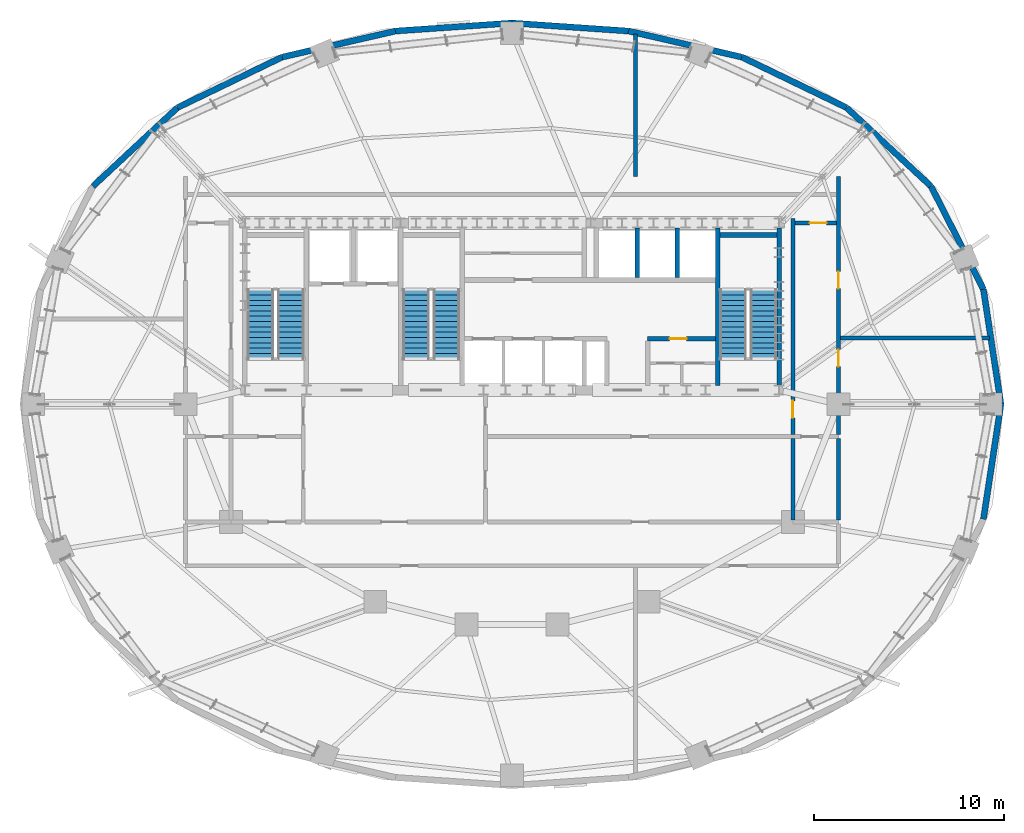
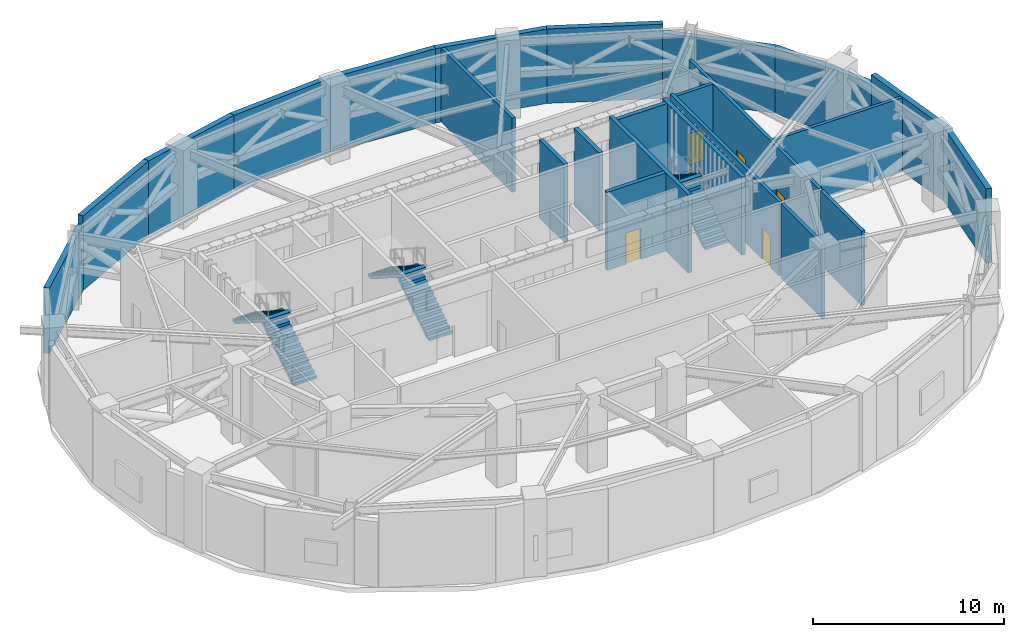
# One storey, part 13 of 17: 24 walls, 6 stair flights, 5 doors, 5 openings, 3 elements without a shape of their own.
"""IFC4 building model written with IfcOpenShell, lengths in metres."""

from ifc_helpers import new_model, si_unit, direction, frame, frame_2d, origin, place, context, subcontext, project, spatial, polyline, rectangle, outline, extrude, material, layer, layer_set, type_object, element, fill, aggregate, save


model = new_model("IFC4")

# Units and contexts
model_context = context("Model", 3, precision=1e-05, world=origin(), true_north=direction((0.0, 1.0)))
body_context = subcontext(model_context, "Body", "Model", "MODEL_VIEW")
ifc_project = project(units=[si_unit("LENGTHUNIT", "METRE"), si_unit("AREAUNIT", "SQUARE_METRE"), si_unit("VOLUMEUNIT", "CUBIC_METRE"), si_unit("PLANEANGLEUNIT", "RADIAN"), si_unit("MASSUNIT", "GRAM", prefix="KILO")], contexts=[model_context])

# Site, building, storey
site_placement = place(None, origin())
site = spatial("IfcSite", under=ifc_project, at=site_placement, CompositionType="ELEMENT")
building_placement = place(site_placement, origin())
building = spatial("IfcBuilding", under=site, at=building_placement, Name="Haldorwick Loom Tower", CompositionType="ELEMENT")
storey_placement = place(building_placement, frame((0.0, 0.0, 149.449951171875)))
storey = spatial("IfcBuildingStorey", under=building, at=storey_placement, Name="L40", CompositionType="ELEMENT", Elevation=149.449951171875)

# Walls
ifc_material_1 = material(Name="Pressed Clay Face Brick and Insulated Masonry Backup Assembly", Category="masonry")
ifc_layer_1 = layer(ifc_material_1, 0.320068359375, Name="Pressed Clay Face Brick and Insulated Masonry Backup Assembly", Category="masonry")
ifc_layer_set_1 = layer_set([ifc_layer_1], Name="Pressed Clay Face Brick and Insulated Masonry Backup Assembly")
wall_type_1 = type_object("IfcWallType", Name="ARC-WL-EXT320", PredefinedType="STANDARD", material=ifc_layer_set_1)
wall_1_placement = place(storey_placement, frame((61.757080078125, 26.0, 0.0), z_axis=(0.0, 0.0, 1.0), x_axis=(-0.150544467684, 0.988603238539, 0.0)))
element("IfcWall", 1, at=wall_1_placement, inside=storey, type_object=wall_type_1, Name="L40 Brick Pier and Spandrel Wall 1", PredefinedType="STANDARD", context=body_context, shape_type="SweptSolid", body=[
    extrude(rectangle(XDim=6.125244140625, YDim=0.320068359375, at=frame_2d((3.0625, 0.0))), origin(), (0.0, 0.0, 1.0), 4.760009765625),
])
wall_2_placement = place(storey_placement, frame((60.8349609375, 32.055419921875, 0.0), z_axis=(0.0, 0.0, 1.0), x_axis=(-0.453172129629, 0.89142303141, 0.0)))
element("IfcWall", 2, at=wall_2_placement, inside=storey, type_object=wall_type_1, Name="L40 Brick Pier and Spandrel Wall 2", PredefinedType="STANDARD", context=body_context, shape_type="SweptSolid", body=[
    extrude(rectangle(XDim=6.086669921875, YDim=0.320068359375, at=frame_2d((3.04345703125, 0.0))), origin(), (0.0, 0.0, 1.0), 4.191162109375),
])
wall_3_placement = place(storey_placement, frame((58.07666015625, 37.481201171875, 0.0), z_axis=(0.0, 0.0, 1.0), x_axis=(-0.732001571644, 0.681302942244, 0.0)))
element("IfcWall", 3, at=wall_3_placement, inside=storey, type_object=wall_type_1, Name="L40 Brick Pier and Spandrel Wall 3", PredefinedType="STANDARD", context=body_context, shape_type="SweptSolid", body=[
    extrude(rectangle(XDim=6.0869140625, YDim=0.320068359375, at=frame_2d((3.04345703125, 0.0))), origin(), (0.0, 0.0, 1.0), 4.191162109375),
])
wall_4_placement = place(storey_placement, frame((53.62109375, 41.628173828125, 0.0), z_axis=(0.0, 0.0, 1.0), x_axis=(-0.900472429216, 0.43491309962, 0.0)))
element("IfcWall", 4, at=wall_4_placement, inside=storey, type_object=wall_type_1, Name="L40 Brick Pier and Spandrel Wall 4", PredefinedType="STANDARD", context=body_context, shape_type="SweptSolid", body=[
    extrude(rectangle(XDim=6.1181640625, YDim=0.320068359375, at=frame_2d((3.05908203125, 0.0))), origin(), (0.0, 0.0, 1.0), 4.760009765625),
])
wall_5_placement = place(storey_placement, frame((48.11181640625, 44.2890625, 0.0), z_axis=(0.0, 0.0, 1.0), x_axis=(-0.974593223547, 0.223982250674, 0.0)))
element("IfcWall", 5, at=wall_5_placement, inside=storey, type_object=wall_type_1, Name="L40 Brick Pier and Spandrel Wall 5", PredefinedType="STANDARD", context=body_context, shape_type="SweptSolid", body=[
    extrude(rectangle(XDim=6.138916015625, YDim=0.320068359375, at=frame_2d((3.0693359375, 0.0))), origin(), (0.0, 0.0, 1.0), 4.760009765625),
])
for number, where, z_axis, x_axis, name in (
    (6, (42.12890625, 45.6640625, 0.0), (0.0, 0.0, 1.0), (-0.997652942988, 0.068473391522, 0.0), "L40 Brick Pier and Spandrel Wall 6"),
    (7, (36.0, 46.084716796875, 0.0), (0.0, 0.0, 1.0), (-0.997652942988, -0.068473391522, 0.0), "L40 Brick Pier and Spandrel Wall 7"),
):
    element("IfcWall", number, at=place(storey_placement, frame(where, z_axis=z_axis, x_axis=x_axis)), inside=storey, type_object=wall_type_1, Name=name, PredefinedType="STANDARD", context=body_context, shape_type="SweptSolid", body=[
        extrude(rectangle(XDim=6.143310546875, YDim=0.320068359375, at=frame_2d((3.07177734375, 0.0))), origin(), (0.0, 0.0, 1.0), 4.760009765625),
    ])
wall_6_placement = place(storey_placement, frame((29.87109375, 45.6640625, 0.0), z_axis=(0.0, 0.0, 1.0), x_axis=(-0.974593223547, -0.223982250674, 0.0)))
element("IfcWall", 8, at=wall_6_placement, inside=storey, type_object=wall_type_1, Name="L40 Brick Pier and Spandrel Wall 8", PredefinedType="STANDARD", context=body_context, shape_type="SweptSolid", body=[
    extrude(rectangle(XDim=6.138916015625, YDim=0.320068359375, at=frame_2d((3.0693359375, 0.0))), origin(), (0.0, 0.0, 1.0), 4.760009765625),
])
wall_7_placement = place(storey_placement, frame((23.88818359375, 44.2890625, 0.0), z_axis=(0.0, 0.0, 1.0), x_axis=(-0.900479976617, -0.434897472644, 0.0)))
element("IfcWall", 9, at=wall_7_placement, inside=storey, type_object=wall_type_1, Name="L40 Brick Pier and Spandrel Wall 9", PredefinedType="STANDARD", context=body_context, shape_type="SweptSolid", body=[
    extrude(rectangle(XDim=6.118408203125, YDim=0.320068359375, at=frame_2d((3.05908203125, 0.0))), origin(), (0.0, 0.0, 1.0), 4.760009765625),
])
wall_8_placement = place(storey_placement, frame((18.378662109375, 41.628173828125, 0.0), z_axis=(0.0, 0.0, 1.0), x_axis=(-0.731982952968, -0.681322945866, 0.0)))
element("IfcWall", 10, at=wall_8_placement, inside=storey, type_object=wall_type_1, Name="L40 Brick Pier and Spandrel Wall 10", PredefinedType="STANDARD", context=body_context, shape_type="SweptSolid", body=[
    extrude(rectangle(XDim=6.086669921875, YDim=0.320068359375, at=frame_2d((3.04345703125, 0.0))), origin(), (0.0, 0.0, 1.0), 4.191162109375),
])
wall_9_placement = place(storey_placement, frame((60.8349609375, 19.944580078125, 0.0), z_axis=(0.0, 0.0, 1.0), x_axis=(0.150544467684, 0.988603238539, 0.0)))
element("IfcWall", 11, at=wall_9_placement, inside=storey, type_object=wall_type_1, Name="L40 Brick Pier and Spandrel Wall 24", PredefinedType="STANDARD", context=body_context, shape_type="SweptSolid", body=[
    extrude(rectangle(XDim=6.125244140625, YDim=0.320068359375, at=frame_2d((3.0625, 0.0))), origin(), (0.0, 0.0, 1.0), 4.760009765625),
])
ifc_material_2 = material(Name="Fire-Rated Type X Gypsum Stud Assembly EI 120")
ifc_layer_2 = layer(ifc_material_2, 0.199951171875, Name="Fire-Rated Type X Gypsum Stud Assembly EI 120")
ifc_layer_set_2 = layer_set([ifc_layer_2], Name="Fire-Rated Type X Gypsum Stud Assembly EI 120")
wall_type_2 = type_object("IfcWallType", Name="ARC-WL-FIRE200", PredefinedType="PARTITIONING", material=ifc_layer_set_2)
wall_10_placement = place(storey_placement, frame((53.199951171875, 19.903076171875, 0.0), z_axis=(0.0, 0.0, 1.0), x_axis=(0.0, 1.0, 0.0)))
element("IfcWall", 12, at=wall_10_placement, inside=storey, type_object=wall_type_2, Name="L40 Interior Partition L40-PC-E1", PredefinedType="PARTITIONING", context=body_context, shape_type="SweptSolid", body=[
    extrude(rectangle(XDim=4.2939453125, YDim=0.199951171875, at=frame_2d((2.14697265625, 0.0))), origin(), (0.0, 0.0, 1.0), 4.7451171875),
])

# Wall, openings, doors
wall_11_placement = place(storey_placement, frame((53.199951171875, 24.403076171875, 0.0), z_axis=(0.0, 0.0, 1.0), x_axis=(0.0, 1.0, 0.0)))
wall_11 = element("IfcWall", 13, at=wall_11_placement, inside=storey, type_object=wall_type_2, Name="L40 Interior Partition L40-PC-E1", PredefinedType="PARTITIONING", context=body_context, shape_type="SweptSolid", body=[
    extrude(rectangle(XDim=13.596923828125, YDim=0.199951171875, at=frame_2d((6.79833984375, 0.0))), origin(), (0.0, 0.0, 1.0), 4.7451171875),
])
opening_1_placement = place(wall_11_placement, frame((7.685791015625, 0.0, 0.0)))
opening_1 = element("IfcOpeningElement", 14, at=opening_1_placement, cuts=wall_11, Name="Opening D-FD60A", PredefinedType="OPENING", context=body_context, shape_type="SweptSolid", body=[
    extrude(rectangle(XDim=0.89990234375, YDim=2.0, at=frame_2d((0.449951171875, 1.0))), frame((0.0, 0.10986328125, 0.0), z_axis=(0.0, -1.0, 0.0), x_axis=(1.0, 0.0, 0.0)), (0.0, 0.0, 1.0), 0.219970703125),
])
opening_2_placement = place(wall_11_placement, frame((3.583251953125, 0.0, 0.0)))
opening_2 = element("IfcOpeningElement", 15, at=opening_2_placement, cuts=wall_11, Name="Opening D-FD60A", PredefinedType="OPENING", context=body_context, shape_type="SweptSolid", body=[
    extrude(rectangle(XDim=0.89990234375, YDim=2.0, at=frame_2d((0.449951171875, 1.0))), frame((0.0, 0.10986328125, 0.0), z_axis=(0.0, -1.0, 0.0), x_axis=(1.0, 0.0, 0.0)), (0.0, 0.0, 1.0), 0.219970703125),
])
ifc_material_3 = material(Name="Hollow Steel Fire Door Assembly", Category="steel")
door_type = type_object("IfcDoorType", Name="ARC-DR-FD60-90", OperationType="NOTDEFINED", PredefinedType="DOOR", material=ifc_material_3)
door_1_placement = place(opening_1_placement, frame((0.89990234375, 0.0, 0.0), z_axis=(0.0, 0.0, 1.0), x_axis=(-1.0, 0.0, 0.0)))
door_1 = element("IfcDoor", 16, at=door_1_placement, inside=storey, type_object=door_type, Name="L40 East Mechanical Corridor to Emergency Power Transformer Plant Door", OperationType="SINGLE_SWING_RIGHT", OverallHeight=2.0, OverallWidth=0.89990234375, PredefinedType="DOOR", context=body_context, shape_type="SweptSolid", body=[
    extrude(rectangle(XDim=0.89990234375, YDim=2.0, at=frame_2d((0.449951171875, 1.0))), frame((0.0, 0.02490234375, 0.0), z_axis=(0.0, -1.0, 0.0), x_axis=(1.0, 0.0, 0.0)), (0.0, 0.0, 1.0), 0.050048828125),
])
fill(opening_1, door_1)
door_2_placement = place(opening_2_placement, origin())
door_2 = element("IfcDoor", 17, at=door_2_placement, inside=storey, type_object=door_type, Name="L40 East Mechanical Corridor to Air Handling Ventilation Plant Door", OperationType="SINGLE_SWING_RIGHT", OverallHeight=2.0, OverallWidth=0.89990234375, PredefinedType="DOOR", context=body_context, shape_type="SweptSolid", body=[
    extrude(rectangle(XDim=0.89990234375, YDim=2.0, at=frame_2d((0.449951171875, 1.0))), frame((0.0, 0.02490234375, 0.0), z_axis=(0.0, -1.0, 0.0), x_axis=(1.0, 0.0, 0.0)), (0.0, 0.0, 1.0), 0.050048828125),
])
fill(opening_2, door_2)

# Wall
wall_12_placement = place(storey_placement, frame((50.800048828125, 19.903076171875, 0.0), z_axis=(0.0, 0.0, 1.0), x_axis=(0.0, 1.0, 0.0)))
element("IfcWall", 18, at=wall_12_placement, inside=storey, type_object=wall_type_2, Name="L40 Interior Partition L40-PC-E2", PredefinedType="PARTITIONING", context=body_context, shape_type="SweptSolid", body=[
    extrude(rectangle(XDim=4.2939453125, YDim=0.199951171875, at=frame_2d((2.14697265625, 0.0))), origin(), (0.0, 0.0, 1.0), 4.7451171875),
])

# Wall, opening, door
wall_13_placement = place(storey_placement, frame((50.800048828125, 24.403076171875, 0.0), z_axis=(0.0, 0.0, 1.0), x_axis=(0.0, 1.0, 0.0)))
wall_13 = element("IfcWall", 19, at=wall_13_placement, inside=storey, type_object=wall_type_2, Name="L40 Interior Partition L40-PC-E2", PredefinedType="PARTITIONING", context=body_context, shape_type="SweptSolid", body=[
    extrude(rectangle(XDim=11.39697265625, YDim=0.199951171875, at=frame_2d((5.698486328125, 0.0))), origin(), (0.0, 0.0, 1.0), 4.7451171875),
])
opening_3_placement = place(wall_13_placement, frame((0.88037109375, 0.0, 0.0)))
opening_3 = element("IfcOpeningElement", 20, at=opening_3_placement, cuts=wall_13, Name="Opening D-FD60A", PredefinedType="OPENING", context=body_context, shape_type="SweptSolid", body=[
    extrude(rectangle(XDim=0.89990234375, YDim=2.0, at=frame_2d((0.449951171875, 1.0))), frame((0.0, 0.10986328125, 0.0), z_axis=(0.0, -1.0, 0.0), x_axis=(1.0, 0.0, 0.0)), (0.0, 0.0, 1.0), 0.219970703125),
])
door_3_placement = place(opening_3_placement, origin())
door_3 = element("IfcDoor", 21, at=door_3_placement, inside=storey, type_object=door_type, Name="L40 East Plant Exit Corridor to East Mechanical Corridor Door", OperationType="SINGLE_SWING_LEFT", OverallHeight=2.0, OverallWidth=0.89990234375, PredefinedType="DOOR", context=body_context, shape_type="SweptSolid", body=[
    extrude(rectangle(XDim=0.89990234375, YDim=2.0, at=frame_2d((0.449951171875, 1.0))), frame((0.0, 0.02490234375, 0.0), z_axis=(0.0, -1.0, 0.0), x_axis=(1.0, 0.0, 0.0)), (0.0, 0.0, 1.0), 0.050048828125),
])
fill(opening_3, door_3)

wall_14_placement = place(storey_placement, frame((50.903076171875, 35.550048828125, 0.0), z_axis=(0.0, 0.0, 1.0), x_axis=(1.0, 0.0, 0.0)))
wall_14 = element("IfcWall", 22, at=wall_14_placement, inside=storey, type_object=wall_type_2, Name="L40 Interior Partition L40-PC-EN", PredefinedType="PARTITIONING", context=body_context, shape_type="SweptSolid", body=[
    extrude(rectangle(XDim=2.19384765625, YDim=0.199951171875, at=frame_2d((1.096923828125, 0.0))), origin(), (0.0, 0.0, 1.0), 4.7451171875),
])
opening_4_placement = place(wall_14_placement, frame((0.769775390625, 0.0, 0.0)))
opening_4 = element("IfcOpeningElement", 23, at=opening_4_placement, cuts=wall_14, Name="Opening D-FD60A", PredefinedType="OPENING", context=body_context, shape_type="SweptSolid", body=[
    extrude(rectangle(XDim=0.89990234375, YDim=2.0, at=frame_2d((0.449951171875, 1.0))), frame((0.0, 0.10986328125, 0.0), z_axis=(0.0, -1.0, 0.0), x_axis=(1.0, 0.0, 0.0)), (0.0, 0.0, 1.0), 0.219970703125),
])
door_4_placement = place(opening_4_placement, origin())
door_4 = element("IfcDoor", 24, at=door_4_placement, inside=storey, type_object=door_type, Name="L40 North Mechanical Corridor to East Mechanical Corridor Door", OperationType="SINGLE_SWING_RIGHT", OverallHeight=2.0, OverallWidth=0.89990234375, PredefinedType="DOOR", context=body_context, shape_type="SweptSolid", body=[
    extrude(rectangle(XDim=0.89990234375, YDim=2.0, at=frame_2d((0.449951171875, 1.0))), frame((0.0, 0.02490234375, 0.0), z_axis=(0.0, -1.0, 0.0), x_axis=(1.0, 0.0, 0.0)), (0.0, 0.0, 1.0), 0.050048828125),
])
fill(opening_4, door_4)

# Walls
wall_15_placement = place(storey_placement, frame((42.5, 38.0, 0.0), z_axis=(0.0, 0.0, 1.0), x_axis=(0.0, 1.0, 0.0)))
element("IfcWall", 25, at=wall_15_placement, inside=storey, type_object=wall_type_2, Name="L40 Interior Partition L40-PL-N", PredefinedType="PARTITIONING", context=body_context, shape_type="SweptSolid", body=[
    extrude(rectangle(XDim=7.511962890625, YDim=0.199951171875, at=frame_2d((3.755859375, 0.0))), origin(), (0.0, 0.0, 1.0), 4.7451171875),
])
wall_16_placement = place(storey_placement, frame((53.302978515625, 29.5, 0.0), z_axis=(0.0, 0.0, 1.0), x_axis=(1.0, 0.0, 0.0)))
element("IfcWall", 26, at=wall_16_placement, inside=storey, type_object=wall_type_2, Name="L40 Interior Partition L40-PL-E", PredefinedType="PARTITIONING", context=body_context, shape_type="SweptSolid", body=[
    extrude(rectangle(XDim=7.855224609375, YDim=0.199951171875, at=frame_2d((3.927734375, 0.0))), origin(), (0.0, 0.0, 1.0), 4.7451171875),
])
ifc_material_4 = material(Name="Concrete C50 (50 MPa)", Category="concrete")
ifc_layer_3 = layer(ifc_material_4, 0.239990234375, Name="Concrete C50 (50 MPa)", Category="concrete")
ifc_layer_set_3 = layer_set([ifc_layer_3], Name="Concrete C50 (50 MPa)")
wall_type_3 = type_object("IfcWallType", Name="STR-WL-SHAFT240", PredefinedType="SHEAR", material=ifc_layer_set_3)
for number, where, z_axis, x_axis, name in (
    (27, (50.070068359375, 27.0029296875, 0.0), (0.0, 0.0, 1.0), (0.0, 1.0, 0.0), "L40 Core Shear Wall E"),
    (28, (46.830078125, 27.0029296875, 0.0), (0.0, 0.0, 1.0), (0.0, 1.0, 0.0), "L40 Core Shear Wall 4"),
):
    element("IfcWall", number, at=place(storey_placement, frame(where, z_axis=z_axis, x_axis=x_axis)), inside=storey, type_object=wall_type_3, Name=name, PredefinedType="SHEAR", context=body_context, shape_type="SweptSolid", body=[
        extrude(rectangle(XDim=8.294189453125, YDim=0.239990234375, at=frame_2d((4.14697265625, 0.0))), origin(), (0.0, 0.0, 1.0), 5.0),
    ])
wall_17_placement = place(storey_placement, frame((46.952880859375, 34.919921875, 0.0), z_axis=(0.0, 0.0, 1.0), x_axis=(1.0, 0.0, 0.0)))
element("IfcWall", 29, at=wall_17_placement, inside=storey, type_object=wall_type_3, Name="L40 Core Shear Wall 4N", PredefinedType="SHEAR", context=body_context, shape_type="SweptSolid", body=[
    extrude(rectangle(XDim=2.994140625, YDim=0.239990234375, at=frame_2d((1.4970703125, 0.0))), origin(), (0.0, 0.0, 1.0), 5.0),
])

# Wall, opening, door
wall_18_placement = place(storey_placement, frame((43.14990234375, 29.449951171875, 0.0), z_axis=(0.0, 0.0, 1.0), x_axis=(1.0, 0.0, 0.0)))
wall_18 = element("IfcWall", 30, at=wall_18_placement, inside=storey, type_object=wall_type_3, Name="L40 Core Shear Wall LS2", PredefinedType="SHEAR", context=body_context, shape_type="SweptSolid", body=[
    extrude(rectangle(XDim=3.55712890625, YDim=0.239990234375, at=frame_2d((1.778564453125, 0.0))), origin(), (0.0, 0.0, 1.0), 5.0),
])
opening_5_placement = place(wall_18_placement, frame((1.14990234375, 0.0, 0.0)))
opening_5 = element("IfcOpeningElement", 31, at=opening_5_placement, cuts=wall_18, Name="Opening D-FD60A", PredefinedType="OPENING", context=body_context, shape_type="SweptSolid", body=[
    extrude(rectangle(XDim=0.89990234375, YDim=2.0, at=frame_2d((0.449951171875, 1.0))), frame((0.0, 0.1298828125, 0.0), z_axis=(0.0, -1.0, 0.0), x_axis=(1.0, 0.0, 0.0)), (0.0, 0.0, 1.0), 0.260009765625),
])
door_5_placement = place(opening_5_placement, origin())
door_5 = element("IfcDoor", 32, at=door_5_placement, inside=storey, type_object=door_type, Name="L40 Janitor Closet Door", OperationType="SINGLE_SWING_LEFT", OverallHeight=2.0, OverallWidth=0.89990234375, PredefinedType="DOOR", context=body_context, shape_type="SweptSolid", body=[
    extrude(rectangle(XDim=0.89990234375, YDim=2.0, at=frame_2d((0.449951171875, 1.0))), frame((0.0, 0.02490234375, 0.0), z_axis=(0.0, -1.0, 0.0), x_axis=(1.0, 0.0, 0.0)), (0.0, 0.0, 1.0), 0.050048828125),
])
fill(opening_5, door_5)

# Walls
for number, where, z_axis, x_axis, name in (
    (33, (42.60009765625, 32.673095703125, 0.0), (0.0, 0.0, 1.0), (0.0, 1.0, 0.0), "L40 Core Shear Wall H1"),
    (34, (44.699951171875, 32.673095703125, 0.0), (0.0, 0.0, 1.0), (0.0, 1.0, 0.0), "L40 Core Shear Wall H2"),
):
    element("IfcWall", number, at=place(storey_placement, frame(where, z_axis=z_axis, x_axis=x_axis)), inside=storey, type_object=wall_type_3, Name=name, PredefinedType="SHEAR", context=body_context, shape_type="SweptSolid", body=[
        extrude(rectangle(XDim=2.6240234375, YDim=0.239990234375, at=frame_2d((1.31201171875, 0.0))), origin(), (0.0, 0.0, 1.0), 5.0),
    ])

# Stair, stair flights
ifc_material_5 = material(Name="Concrete C40 (40 MPa)", Category="concrete")
stair_type = type_object("IfcStairType", Name="STR-STR-CORE", PredefinedType="HALF_TURN_STAIR", material=ifc_material_5)
stair_1_placement = place(storey_placement, origin())
stair_1 = element("IfcStair", 35, at=stair_1_placement, inside=storey, type_object=stair_type, Name="L40 Exit Stair ST-01", PredefinedType="HALF_TURN_STAIR")
stair_flight_type = type_object("IfcStairFlightType", Name="STR-STF-1250", PredefinedType="STRAIGHT", material=ifc_material_5)
stair_flight_1_placement = place(storey_placement, frame((24.35009765625, 28.39990234375, 0.0), z_axis=(0.0, 0.0, 1.0), x_axis=(0.0, 1.0, 0.0)))
stair_flight_1 = element("IfcStairFlight", 36, at=stair_flight_1_placement, type_object=stair_flight_type, Name="ST-01 flight 1", NumberOfRisers=14, NumberOfTreads=13, PredefinedType="STRAIGHT", RiserHeight=0.178571429, TreadLength=0.28, context=body_context, shape_type="SweptSolid", body=[
    extrude(outline(polyline([(0.0, 0.0), (0.0, 0.178466796875), (0.280029296875, 0.178466796875), (0.280029296875, 0.357177734375), (0.56005859375, 0.357177734375), (0.56005859375, 0.53564453125), (0.840087890625, 0.53564453125), (0.840087890625, 0.71435546875), (1.1201171875, 0.71435546875), (1.1201171875, 0.892822265625), (1.39990234375, 0.892822265625), (1.39990234375, 1.071533203125), (1.679931640625, 1.071533203125), (1.679931640625, 1.25), (1.9599609375, 1.25), (1.9599609375, 1.428466796875), (2.239990234375, 1.428466796875), (2.239990234375, 1.607177734375), (2.52001953125, 1.607177734375), (2.52001953125, 1.78564453125), (2.800048828125, 1.78564453125), (2.800048828125, 1.96435546875), (3.080078125, 1.96435546875), (3.080078125, 2.142822265625), (3.360107421875, 2.142822265625), (3.360107421875, 2.321533203125), (3.639892578125, 2.321533203125), (3.639892578125, 2.5), (3.639892578125, 2.1435546875), (0.27880859375, 0.0), (0.0, 0.0)])), frame((0.0, 0.699951171875, 0.0), z_axis=(0.0, -1.0, 0.0), x_axis=(1.0, 0.0, 0.0)), (0.0, 0.0, 1.0), 1.39990234375),
])
stair_flight_2_placement = place(storey_placement, frame((22.75, 32.0400390625, 2.5), z_axis=(0.0, 0.0, 1.0), x_axis=(0.0, -1.0, 0.0)))
stair_flight_2 = element("IfcStairFlight", 37, at=stair_flight_2_placement, type_object=stair_flight_type, Name="ST-01 flight 2", NumberOfRisers=14, NumberOfTreads=13, PredefinedType="STRAIGHT", RiserHeight=0.178571429, TreadLength=0.28, context=body_context, shape_type="SweptSolid", body=[
    extrude(outline(polyline([(0.0, 0.0), (0.0, 0.178466796875), (0.280029296875, 0.178466796875), (0.280029296875, 0.357177734375), (0.56005859375, 0.357177734375), (0.56005859375, 0.53564453125), (0.840087890625, 0.53564453125), (0.840087890625, 0.71435546875), (1.1201171875, 0.71435546875), (1.1201171875, 0.892822265625), (1.39990234375, 0.892822265625), (1.39990234375, 1.071533203125), (1.679931640625, 1.071533203125), (1.679931640625, 1.25), (1.9599609375, 1.25), (1.9599609375, 1.428466796875), (2.239990234375, 1.428466796875), (2.239990234375, 1.607177734375), (2.52001953125, 1.607177734375), (2.52001953125, 1.78564453125), (2.800048828125, 1.78564453125), (2.800048828125, 1.96435546875), (3.080078125, 1.96435546875), (3.080078125, 2.142822265625), (3.360107421875, 2.142822265625), (3.360107421875, 2.321533203125), (3.639892578125, 2.321533203125), (3.639892578125, 2.5), (3.639892578125, 2.1435546875), (0.27880859375, 0.0), (0.0, 0.0)])), frame((0.0, 0.699951171875, 0.0), z_axis=(0.0, -1.0, 0.0), x_axis=(1.0, 0.0, 0.0)), (0.0, 0.0, 1.0), 1.39990234375),
])
aggregate(stair_1, [stair_flight_1, stair_flight_2])

stair_2_placement = place(storey_placement, origin())
stair_2 = element("IfcStair", 38, at=stair_2_placement, inside=storey, type_object=stair_type, Name="L40 Exit Stair ST-02", PredefinedType="HALF_TURN_STAIR")
stair_flight_3_placement = place(storey_placement, frame((49.25, 28.39990234375, 0.0), z_axis=(0.0, 0.0, 1.0), x_axis=(0.0, 1.0, 0.0)))
stair_flight_3 = element("IfcStairFlight", 39, at=stair_flight_3_placement, type_object=stair_flight_type, Name="ST-02 flight 1", NumberOfRisers=14, NumberOfTreads=13, PredefinedType="STRAIGHT", RiserHeight=0.178571429, TreadLength=0.28, context=body_context, shape_type="SweptSolid", body=[
    extrude(outline(polyline([(0.0, 0.0), (0.0, 0.178466796875), (0.280029296875, 0.178466796875), (0.280029296875, 0.357177734375), (0.56005859375, 0.357177734375), (0.56005859375, 0.53564453125), (0.840087890625, 0.53564453125), (0.840087890625, 0.71435546875), (1.1201171875, 0.71435546875), (1.1201171875, 0.892822265625), (1.39990234375, 0.892822265625), (1.39990234375, 1.071533203125), (1.679931640625, 1.071533203125), (1.679931640625, 1.25), (1.9599609375, 1.25), (1.9599609375, 1.428466796875), (2.239990234375, 1.428466796875), (2.239990234375, 1.607177734375), (2.52001953125, 1.607177734375), (2.52001953125, 1.78564453125), (2.800048828125, 1.78564453125), (2.800048828125, 1.96435546875), (3.080078125, 1.96435546875), (3.080078125, 2.142822265625), (3.360107421875, 2.142822265625), (3.360107421875, 2.321533203125), (3.639892578125, 2.321533203125), (3.639892578125, 2.5), (3.639892578125, 2.1435546875), (0.27880859375, 0.0), (0.0, 0.0)])), frame((0.0, 0.699951171875, 0.0), z_axis=(0.0, -1.0, 0.0), x_axis=(1.0, 0.0, 0.0)), (0.0, 0.0, 1.0), 1.39990234375),
])
stair_flight_4_placement = place(storey_placement, frame((47.64990234375, 32.0400390625, 2.5), z_axis=(0.0, 0.0, 1.0), x_axis=(0.0, -1.0, 0.0)))
stair_flight_4 = element("IfcStairFlight", 40, at=stair_flight_4_placement, type_object=stair_flight_type, Name="ST-02 flight 2", NumberOfRisers=14, NumberOfTreads=13, PredefinedType="STRAIGHT", RiserHeight=0.178571429, TreadLength=0.28, context=body_context, shape_type="SweptSolid", body=[
    extrude(outline(polyline([(0.0, 0.0), (0.0, 0.178466796875), (0.280029296875, 0.178466796875), (0.280029296875, 0.357177734375), (0.56005859375, 0.357177734375), (0.56005859375, 0.53564453125), (0.840087890625, 0.53564453125), (0.840087890625, 0.71435546875), (1.1201171875, 0.71435546875), (1.1201171875, 0.892822265625), (1.39990234375, 0.892822265625), (1.39990234375, 1.071533203125), (1.679931640625, 1.071533203125), (1.679931640625, 1.25), (1.9599609375, 1.25), (1.9599609375, 1.428466796875), (2.239990234375, 1.428466796875), (2.239990234375, 1.607177734375), (2.52001953125, 1.607177734375), (2.52001953125, 1.78564453125), (2.800048828125, 1.78564453125), (2.800048828125, 1.96435546875), (3.080078125, 1.96435546875), (3.080078125, 2.142822265625), (3.360107421875, 2.142822265625), (3.360107421875, 2.321533203125), (3.639892578125, 2.321533203125), (3.639892578125, 2.5), (3.639892578125, 2.1435546875), (0.27880859375, 0.0), (0.0, 0.0)])), frame((0.0, 0.699951171875, 0.0), z_axis=(0.0, -1.0, 0.0), x_axis=(1.0, 0.0, 0.0)), (0.0, 0.0, 1.0), 1.39990234375),
])
aggregate(stair_2, [stair_flight_3, stair_flight_4])

stair_3_placement = place(storey_placement, origin())
stair_3 = element("IfcStair", 41, at=stair_3_placement, inside=storey, type_object=stair_type, Name="L40 Exit Stair ST-03", PredefinedType="HALF_TURN_STAIR")
stair_flight_5_placement = place(storey_placement, frame((32.550048828125, 28.39990234375, 0.0), z_axis=(0.0, 0.0, 1.0), x_axis=(0.0, 1.0, 0.0)))
stair_flight_5 = element("IfcStairFlight", 42, at=stair_flight_5_placement, type_object=stair_flight_type, Name="ST-03 flight 1", NumberOfRisers=14, NumberOfTreads=13, PredefinedType="STRAIGHT", RiserHeight=0.178571429, TreadLength=0.28, context=body_context, shape_type="SweptSolid", body=[
    extrude(outline(polyline([(0.0, 0.0), (0.0, 0.178466796875), (0.280029296875, 0.178466796875), (0.280029296875, 0.357177734375), (0.56005859375, 0.357177734375), (0.56005859375, 0.53564453125), (0.840087890625, 0.53564453125), (0.840087890625, 0.71435546875), (1.1201171875, 0.71435546875), (1.1201171875, 0.892822265625), (1.39990234375, 0.892822265625), (1.39990234375, 1.071533203125), (1.679931640625, 1.071533203125), (1.679931640625, 1.25), (1.9599609375, 1.25), (1.9599609375, 1.428466796875), (2.239990234375, 1.428466796875), (2.239990234375, 1.607177734375), (2.52001953125, 1.607177734375), (2.52001953125, 1.78564453125), (2.800048828125, 1.78564453125), (2.800048828125, 1.96435546875), (3.080078125, 1.96435546875), (3.080078125, 2.142822265625), (3.360107421875, 2.142822265625), (3.360107421875, 2.321533203125), (3.639892578125, 2.321533203125), (3.639892578125, 2.5), (3.639892578125, 2.1435546875), (0.27880859375, 0.0), (0.0, 0.0)])), frame((0.0, 0.699951171875, 0.0), z_axis=(0.0, -1.0, 0.0), x_axis=(1.0, 0.0, 0.0)), (0.0, 0.0, 1.0), 1.39990234375),
])
stair_flight_6_placement = place(storey_placement, frame((30.949951171875, 32.0400390625, 2.5), z_axis=(0.0, 0.0, 1.0), x_axis=(0.0, -1.0, 0.0)))
stair_flight_6 = element("IfcStairFlight", 43, at=stair_flight_6_placement, type_object=stair_flight_type, Name="ST-03 flight 2", NumberOfRisers=14, NumberOfTreads=13, PredefinedType="STRAIGHT", RiserHeight=0.178571429, TreadLength=0.28, context=body_context, shape_type="SweptSolid", body=[
    extrude(outline(polyline([(0.0, 0.0), (0.0, 0.178466796875), (0.280029296875, 0.178466796875), (0.280029296875, 0.357177734375), (0.56005859375, 0.357177734375), (0.56005859375, 0.53564453125), (0.840087890625, 0.53564453125), (0.840087890625, 0.71435546875), (1.1201171875, 0.71435546875), (1.1201171875, 0.892822265625), (1.39990234375, 0.892822265625), (1.39990234375, 1.071533203125), (1.679931640625, 1.071533203125), (1.679931640625, 1.25), (1.9599609375, 1.25), (1.9599609375, 1.428466796875), (2.239990234375, 1.428466796875), (2.239990234375, 1.607177734375), (2.52001953125, 1.607177734375), (2.52001953125, 1.78564453125), (2.800048828125, 1.78564453125), (2.800048828125, 1.96435546875), (3.080078125, 1.96435546875), (3.080078125, 2.142822265625), (3.360107421875, 2.142822265625), (3.360107421875, 2.321533203125), (3.639892578125, 2.321533203125), (3.639892578125, 2.5), (3.639892578125, 2.1435546875), (0.27880859375, 0.0), (0.0, 0.0)])), frame((0.0, 0.699951171875, 0.0), z_axis=(0.0, -1.0, 0.0), x_axis=(1.0, 0.0, 0.0)), (0.0, 0.0, 1.0), 1.39990234375),
])
aggregate(stair_3, [stair_flight_5, stair_flight_6])

save(model, "model.ifc")
